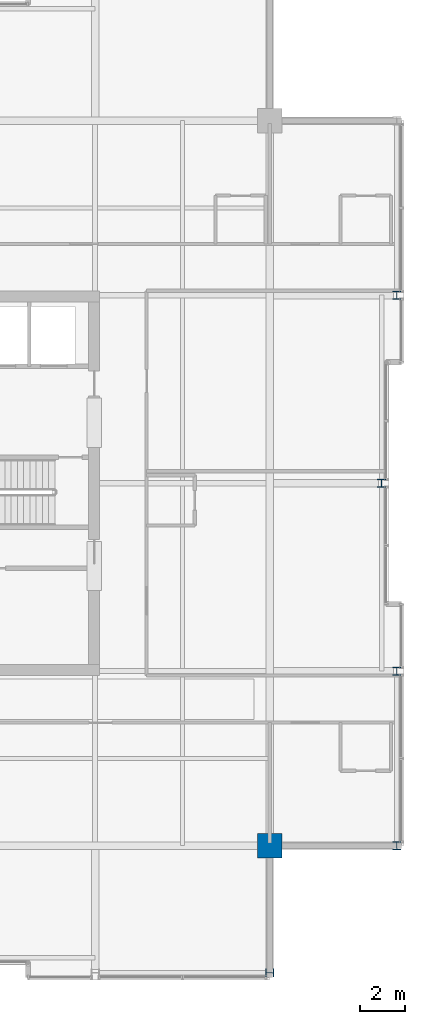
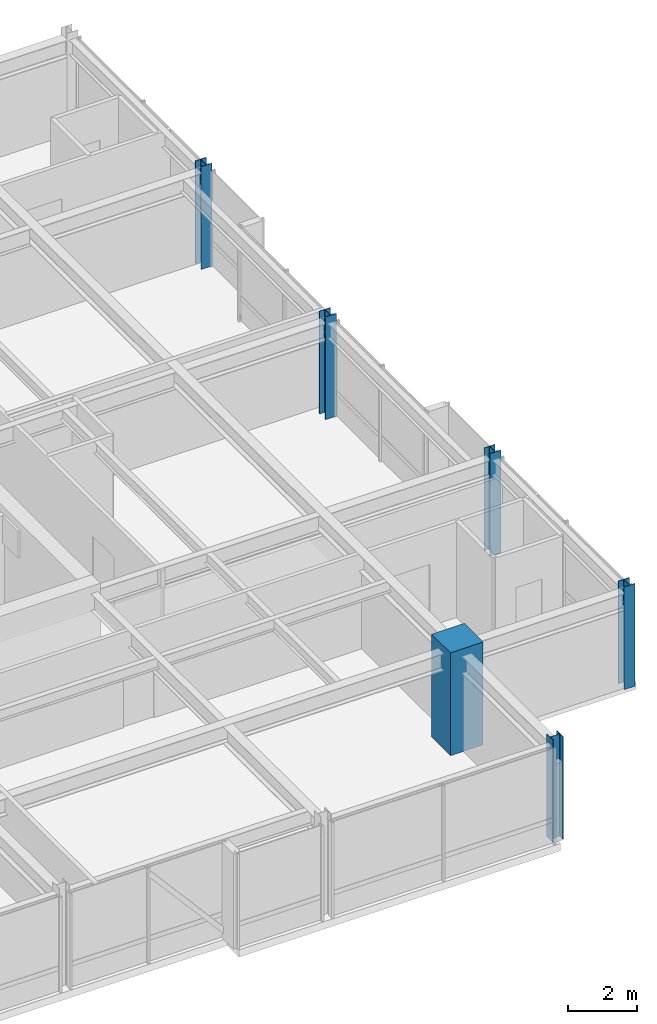
# One storey, part 2 of 33: 6 columns.
"""IFC4 building model written with IfcOpenShell, lengths in metres."""

from ifc_helpers import new_model, si_unit, direction, frame, origin, origin_2d, place, context, subcontext, project, spatial, rectangle, i_section, extrude, material, material_profile, profile_set, type_object, element, save


model = new_model("IFC4")

# Units and contexts
model_context = context("Model", 3, precision=1e-05, world=origin(), true_north=direction((0.0, 1.0)))
body_context = subcontext(model_context, "Body", "Model", "MODEL_VIEW")
ifc_project = project(units=[si_unit("LENGTHUNIT", "METRE"), si_unit("AREAUNIT", "SQUARE_METRE"), si_unit("VOLUMEUNIT", "CUBIC_METRE"), si_unit("PLANEANGLEUNIT", "RADIAN"), si_unit("MASSUNIT", "GRAM", prefix="KILO")], contexts=[model_context])

# Site, building, storey
site_placement = place(None, origin())
site = spatial("IfcSite", under=ifc_project, at=site_placement, CompositionType="ELEMENT")
building_placement = place(site_placement, origin())
building = spatial("IfcBuilding", under=site, at=building_placement, Name="Drelvath Grand Hotel", CompositionType="ELEMENT")
storey_placement = place(building_placement, frame((0.0, 0.0, 279.60009765625)))
storey = spatial("IfcBuildingStorey", under=building, at=storey_placement, Name="L73", CompositionType="ELEMENT", Elevation=279.60009765625)

# Columns
ifc_material_1 = material(Name="Concrete f'c 55 MPa", Category="concrete")
ifc_material_profile_1 = material_profile(ifc_material_1, rectangle(XDim=1.10009765625, YDim=1.10009765625, at=origin_2d()), Name="MC1100X1100")
ifc_profile_set_1 = profile_set([ifc_material_profile_1], Name="Concrete f'c 55 MPa")
column_type_1 = type_object("IfcColumnType", Name="Composite Mega Column MC1100X1100", PredefinedType="COLUMN", material=ifc_profile_set_1)
column_placement = place(storey_placement, frame((16.199951171875, 10.800048828125, 0.0), z_axis=(0.0, 0.0, 1.0), x_axis=(1.0, 0.0, 0.0)))
element("IfcColumn", 1, at=column_placement, inside=storey, type_object=column_type_1, Name="L73 Composite Mega Column MC-SE", PredefinedType="COLUMN", context=body_context, shape_type="SweptSolid", body=[
    extrude(rectangle(XDim=1.10009765625, YDim=1.10009765625, at=origin_2d()), origin(), (0.0, 0.0, 1.0), 3.64990234375),
])
ifc_material_2 = material(Name="Steel ASTM A913 Gr 65", Category="steel")
ifc_material_profile_2 = material_profile(ifc_material_2, i_section(OverallWidth=0.368896484375, OverallDepth=0.356201171875, WebThickness=0.01123046875, FlangeThickness=0.01806640625, FilletRadius=0.02490234375, at=origin_2d()), Name="W14X90")
ifc_profile_set_2 = profile_set([ifc_material_profile_2], Name="Steel ASTM A913 Gr 65")
column_type_2 = type_object("IfcColumnType", Name="Perimeter Steel Column W14X90", PredefinedType="COLUMN", material=ifc_profile_set_2)
for number, where, z_axis, x_axis, name in (
    (2, (21.8798828125, 10.800048828125, 0.0), (0.0, 0.0, 1.0), (1.0, 0.0, 0.0), "L73 Structural Column TCE-C"),
    (3, (21.8798828125, 18.60009765625, 0.0), (0.0, 0.0, 1.0), (1.0, 0.0, 0.0), "L73 Structural Column TCE-D"),
    (4, (21.199951171875, 27.0, 0.0), (0.0, 0.0, 1.0), (1.0, 0.0, 0.0), "L73 Structural Column TCE-E"),
    (5, (21.8798828125, 35.39990234375, 0.0), (0.0, 0.0, 1.0), (1.0, 0.0, 0.0), "L73 Structural Column TCE-F"),
    (6, (16.199951171875, 5.1201171875, 0.0), (0.0, 0.0, 1.0), (0.0, 1.0, 0.0), "L73 Structural Column TCS-7"),
):
    element("IfcColumn", number, at=place(storey_placement, frame(where, z_axis=z_axis, x_axis=x_axis)), inside=storey, type_object=column_type_2, Name=name, PredefinedType="COLUMN", context=body_context, shape_type="SweptSolid", body=[
        extrude(i_section(OverallWidth=0.368896484375, OverallDepth=0.356201171875, WebThickness=0.01123046875, FlangeThickness=0.01806640625, FilletRadius=0.02490234375, at=origin_2d()), origin(), (0.0, 0.0, 1.0), 3.64697265625),
    ])

save(model, "model.ifc")
